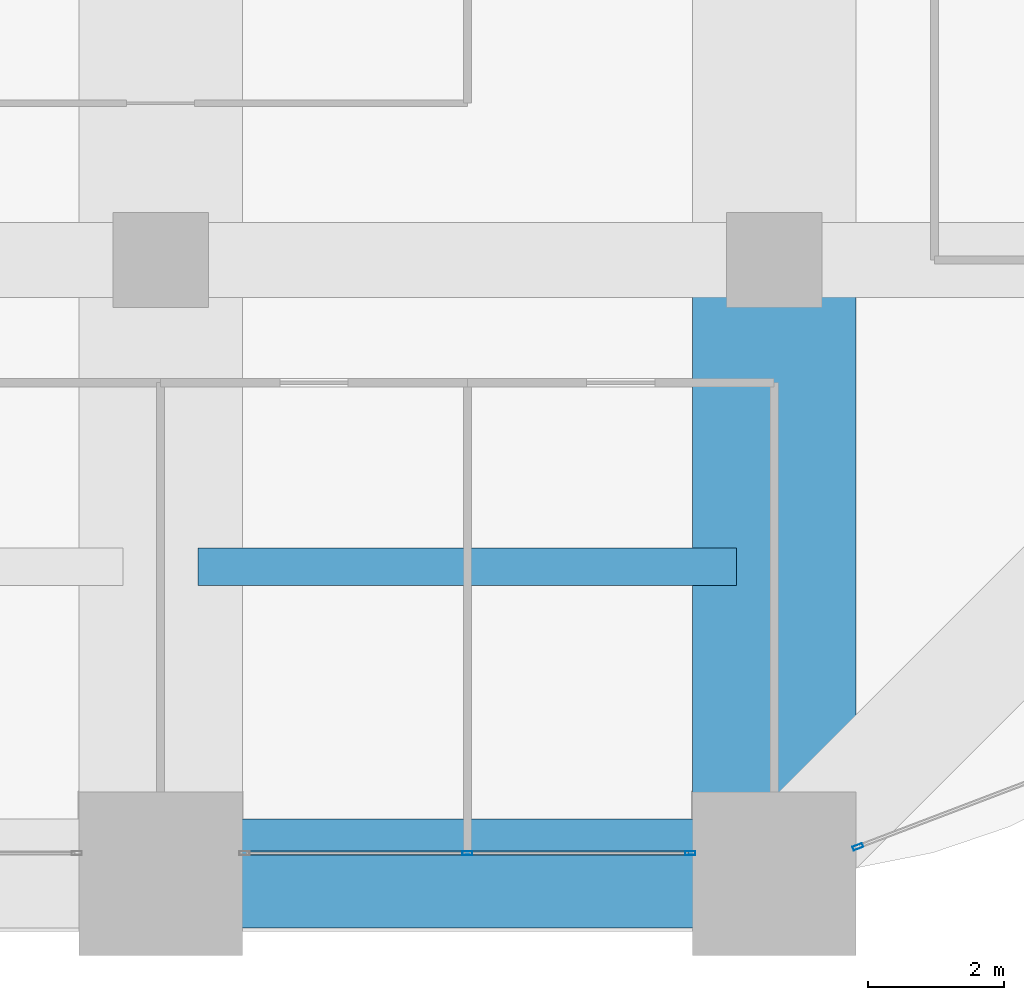
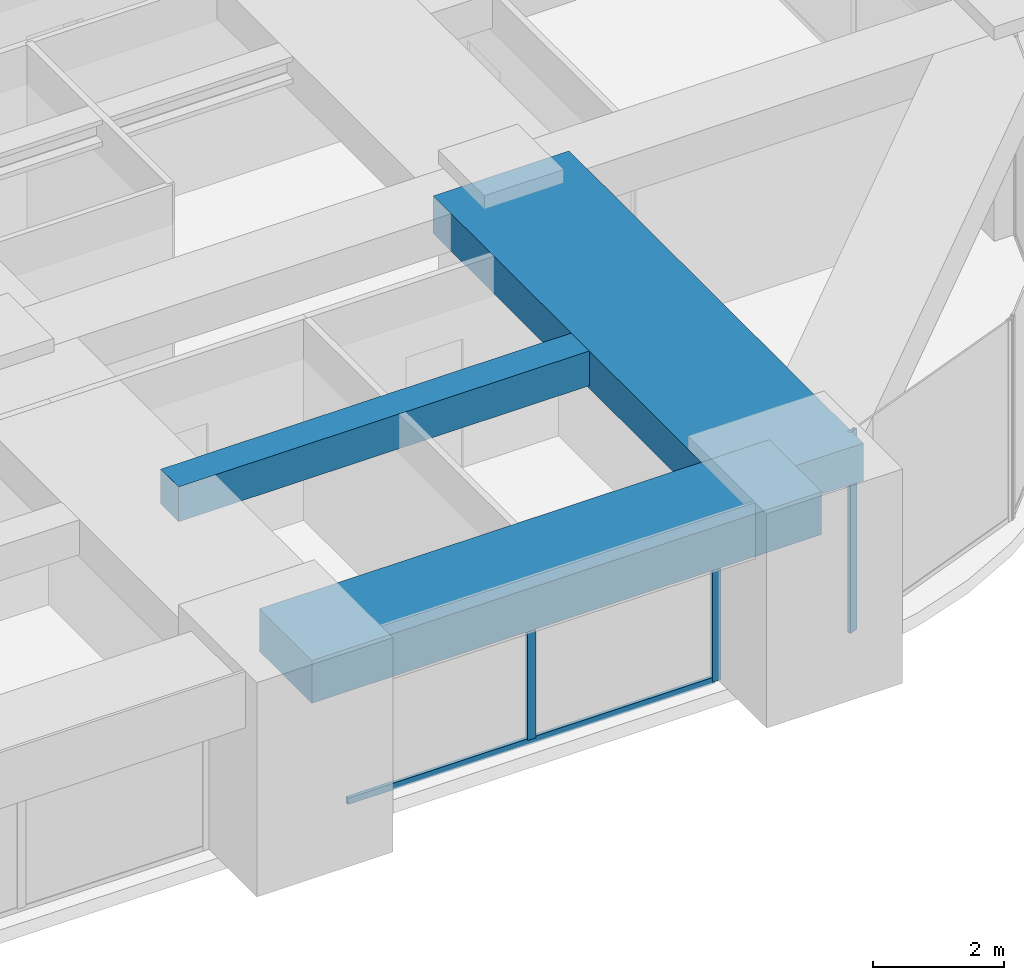
# One storey, part 14 of 35: 4 members, 3 beams, 2 elements without a shape of their own.
"""IFC4 building model written with IfcOpenShell, lengths in metres."""

from ifc_helpers import new_model, si_unit, direction, frame, origin, origin_2d, place, context, subcontext, project, spatial, rectangle, hollow_rectangle, extrude, material, material_profile, profile_set, type_object, element, aggregate, save


model = new_model("IFC4")

# Units and contexts
model_context = context("Model", 3, precision=1e-05, world=origin(), true_north=direction((0.0, 1.0)))
body_context = subcontext(model_context, "Body", "Model", "MODEL_VIEW")
ifc_project = project(units=[si_unit("LENGTHUNIT", "METRE"), si_unit("AREAUNIT", "SQUARE_METRE"), si_unit("VOLUMEUNIT", "CUBIC_METRE"), si_unit("PLANEANGLEUNIT", "RADIAN"), si_unit("MASSUNIT", "GRAM", prefix="KILO")], contexts=[model_context])

# Site, building, storey
site_placement = place(None, origin())
site = spatial("IfcSite", under=ifc_project, at=site_placement, CompositionType="ELEMENT")
building_placement = place(site_placement, origin())
building = spatial("IfcBuilding", under=site, at=building_placement, Name="Zorevar Civic Tower", CompositionType="ELEMENT")
storey_placement = place(building_placement, frame((0.0, 0.0, 218.199951171875)))
storey = spatial("IfcBuildingStorey", under=building, at=storey_placement, Name="L53", CompositionType="ELEMENT", Elevation=218.199951171875)

# Beams
ifc_material_1 = material(Name="Concrete C50/60", Category="concrete")
ifc_material_profile_1 = material_profile(ifc_material_1, rectangle(XDim=2.39990234375, YDim=0.699951171875, at=origin_2d()), Name="RC 2400x700")
ifc_profile_set_1 = profile_set([ifc_material_profile_1], Name="Concrete C50/60")
beam_type_1 = type_object("IfcBeamType", Name="Beam RC 2400x700", PredefinedType="BEAM", material=ifc_profile_set_1)
beam_1_placement = place(storey_placement, frame((45.0, 0.0, 3.400146484375), z_axis=(0.0, 1.0, 0.0), x_axis=(-1.0, 0.0, 0.0)))
element("IfcBeam", 1, at=beam_1_placement, inside=storey, type_object=beam_type_1, Name="Girder L54", PredefinedType="BEAM", context=body_context, shape_type="SweptSolid", body=[
    extrude(rectangle(XDim=2.39990234375, YDim=0.699951171875, at=origin_2d()), origin(), (0.0, 0.0, 1.0), 9.0),
])
ifc_material_2 = material(Name="Concrete C50/60", Category="concrete")
ifc_material_profile_2 = material_profile(ifc_material_2, rectangle(XDim=0.550048828125, YDim=0.64990234375, at=origin_2d()), Name="RC 550x650")
ifc_profile_set_2 = profile_set([ifc_material_profile_2], Name="Concrete C50/60")
beam_type_2 = type_object("IfcBeamType", Name="Beam RC 550x650", PredefinedType="BEAM", material=ifc_profile_set_2)
beam_2_placement = place(storey_placement, frame((36.550048828125, 4.5, 3.425048828125), z_axis=(1.0, 0.0, 0.0), x_axis=(0.0, 1.0, 0.0)))
element("IfcBeam", 2, at=beam_2_placement, inside=storey, type_object=beam_type_2, Name="Secondary beam L54", PredefinedType="BEAM", context=body_context, shape_type="SweptSolid", body=[
    extrude(rectangle(XDim=0.550048828125, YDim=0.64990234375, at=origin_2d()), origin(), (0.0, 0.0, 1.0), 7.89990234375),
])

# Curtain wall, members
ifc_material_3 = material(Name="Dark grey solar-control glass in black aluminium frame", Category="aluminium")
curtain_wall_type = type_object("IfcCurtainWallType", Name="Curtain wall CW4 high zone", PredefinedType="NOTDEFINED", material=ifc_material_3)
curtain_wall_1_placement = place(storey_placement, origin())
curtain_wall_1 = element("IfcCurtainWall", 3, at=curtain_wall_1_placement, inside=storey, type_object=curtain_wall_type, Name="CW4 L53", PredefinedType="NOTDEFINED")
ifc_material_4 = material(Name="Aluminium, black anodised", Category="aluminium")
ifc_material_profile_3 = material_profile(ifc_material_4, hollow_rectangle(XDim=0.06005859375, YDim=0.14990234375, WallThickness=0.00390625, at=origin_2d()), Name="AL 150x60x4")
ifc_profile_set_3 = profile_set([ifc_material_profile_3], Name="Aluminium, black anodised")
member_type_1 = type_object("IfcMemberType", Name="CW4 mullion AL 150x60x4", PredefinedType="MULLION", material=ifc_profile_set_3)
member_1_placement = place(storey_placement, frame((40.5, 0.300048828125, 0.06005859375), z_axis=(0.0, 0.0, 1.0), x_axis=(0.0, 1.0, 0.0)))
member_1 = element("IfcMember", 4, at=member_1_placement, type_object=member_type_1, Name="CW4 mullion 2", PredefinedType="MULLION", context=body_context, shape_type="SweptSolid", body=[
    extrude(hollow_rectangle(XDim=0.06005859375, YDim=0.14990234375, WallThickness=0.00390625, at=origin_2d()), origin(), (0.0, 0.0, 1.0), 2.889892578125),
])
member_2_placement = place(storey_placement, frame((43.77001953125, 0.300048828125, 0.0), z_axis=(0.0, 0.0, 1.0), x_axis=(0.0, 1.0, 0.0)))
member_2 = element("IfcMember", 5, at=member_2_placement, type_object=member_type_1, Name="CW4 mullion 3", PredefinedType="MULLION", context=body_context, shape_type="SweptSolid", body=[
    extrude(hollow_rectangle(XDim=0.06005859375, YDim=0.14990234375, WallThickness=0.00390625, at=origin_2d()), origin(), (0.0, 0.0, 1.0), 2.949951171875),
])

# Curtain wall, member
curtain_wall_2_placement = place(storey_placement, origin())
curtain_wall_2 = element("IfcCurtainWall", 6, at=curtain_wall_2_placement, inside=storey, type_object=curtain_wall_type, Name="CW4 L53", PredefinedType="NOTDEFINED")
member_3_placement = place(storey_placement, frame((46.22802734375, 0.393798828125, 0.0), z_axis=(0.0, 0.0, 1.0), x_axis=(-0.355730895803, 0.93458842801, 0.0)))
member_3 = element("IfcMember", 7, at=member_3_placement, type_object=member_type_1, Name="CW4 mullion 1", PredefinedType="MULLION", context=body_context, shape_type="SweptSolid", body=[
    extrude(hollow_rectangle(XDim=0.06005859375, YDim=0.14990234375, WallThickness=0.00390625, at=origin_2d()), origin(), (0.0, 0.0, 1.0), 3.75),
])
aggregate(curtain_wall_2, [member_3])

# Member
ifc_material_5 = material(Name="Aluminium, black anodised", Category="aluminium")
ifc_material_profile_4 = material_profile(ifc_material_5, hollow_rectangle(XDim=0.06005859375, YDim=0.1201171875, WallThickness=0.0029296875, at=origin_2d()), Name="AL 120x60x3")
ifc_profile_set_4 = profile_set([ifc_material_profile_4], Name="Aluminium, black anodised")
member_type_2 = type_object("IfcMemberType", Name="CW4 transom AL 120x60x3", PredefinedType="USERDEFINED", material=ifc_profile_set_4)
member_4_placement = place(storey_placement, frame((37.260009765625, 0.300048828125, 0.030029296875), z_axis=(1.0, 0.0, 0.0), x_axis=(0.0, 1.0, 0.0)))
member_4 = element("IfcMember", 8, at=member_4_placement, type_object=member_type_2, Name="CW4 sill transom", ObjectType="TRANSOM", PredefinedType="USERDEFINED", context=body_context, shape_type="SweptSolid", body=[
    extrude(hollow_rectangle(XDim=0.06005859375, YDim=0.1201171875, WallThickness=0.0029296875, at=origin_2d()), origin(), (0.0, 0.0, 1.0), 6.47998046875),
])

aggregate(curtain_wall_1, [member_1, member_2, member_4])

# Beam
ifc_material_6 = material(Name="Concrete C50/60", Category="concrete")
ifc_material_profile_5 = material_profile(ifc_material_6, rectangle(XDim=1.60009765625, YDim=0.800048828125, at=origin_2d()), Name="RC 1600x800")
ifc_profile_set_5 = profile_set([ifc_material_profile_5], Name="Concrete C50/60")
beam_type_3 = type_object("IfcBeamType", Name="Edge beam RC 1600x800", PredefinedType="SPANDREL", material=ifc_profile_set_5)
beam_3_placement = place(storey_placement, frame((36.0, 0.0, 3.35009765625), z_axis=(1.0, 0.0, 0.0), x_axis=(0.0, 1.0, 0.0)))
element("IfcBeam", 9, at=beam_3_placement, inside=storey, type_object=beam_type_3, Name="Edge beam L54", PredefinedType="SPANDREL", context=body_context, shape_type="SweptSolid", body=[
    extrude(rectangle(XDim=1.60009765625, YDim=0.800048828125, at=origin_2d()), origin(), (0.0, 0.0, 1.0), 9.0),
])

save(model, "model.ifc")
